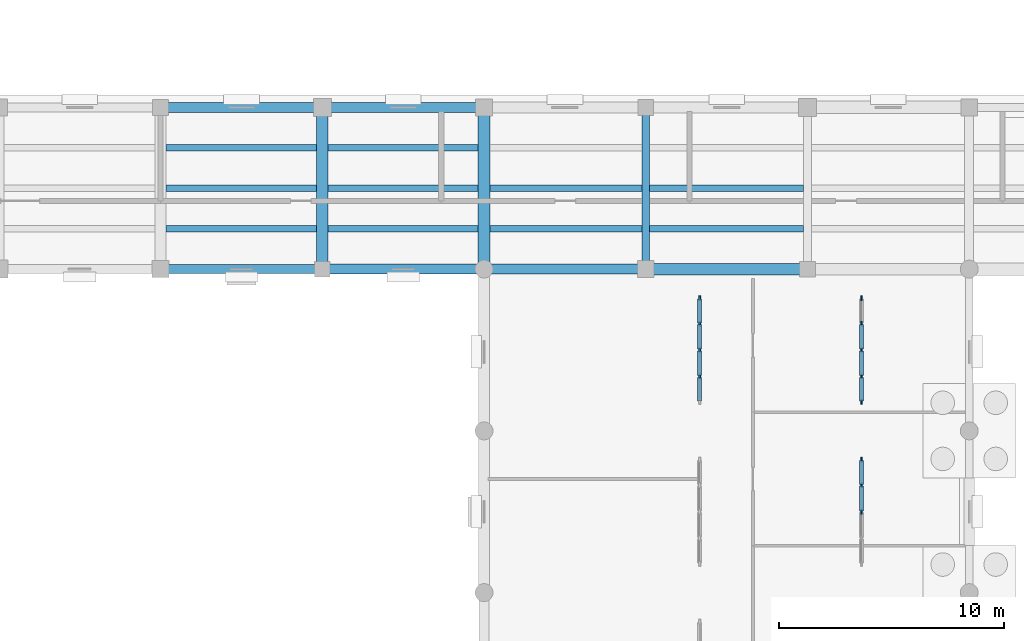
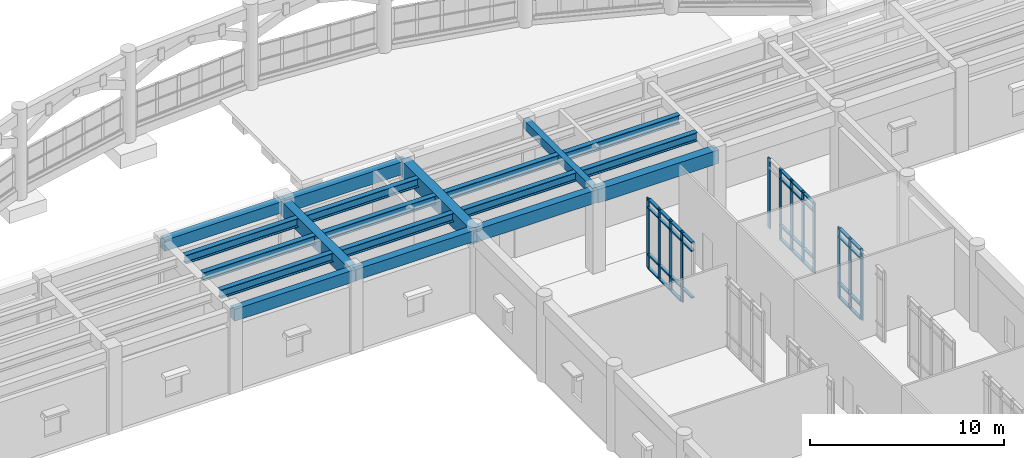
# One storey, part 29 of 100: 47 members, 19 beams, 3 elements without a shape of their own.
"""IFC4 building model written with IfcOpenShell, lengths in metres."""

from ifc_helpers import new_model, si_unit, direction, frame, origin, origin_2d, place, context, subcontext, project, spatial, rectangle, i_section, extrude, material, material_profile, profile_set, type_object, element, aggregate, save


model = new_model("IFC4")

# Units and contexts
model_context = context("Model", 3, precision=1e-05, world=origin(), true_north=direction((0.0, 1.0)))
body_context = subcontext(model_context, "Body", "Model", "MODEL_VIEW")
ifc_project = project(units=[si_unit("LENGTHUNIT", "METRE"), si_unit("AREAUNIT", "SQUARE_METRE"), si_unit("VOLUMEUNIT", "CUBIC_METRE"), si_unit("PLANEANGLEUNIT", "RADIAN"), si_unit("MASSUNIT", "GRAM", prefix="KILO")], contexts=[model_context])

# Site, building, storey
site_placement = place(None, origin())
site = spatial("IfcSite", under=ifc_project, at=site_placement, CompositionType="ELEMENT")
building_placement = place(site_placement, origin())
building = spatial("IfcBuilding", under=site, at=building_placement, Name="Mithqara Police Headquarters", CompositionType="ELEMENT")
storey_placement = place(building_placement, origin())
storey = spatial("IfcBuildingStorey", under=building, at=storey_placement, Name="L00", CompositionType="ELEMENT", Elevation=0.0)

# Beams
ifc_material_1 = material(Name="Steel S355JR", Category="steel")
ifc_material_profile_1 = material_profile(ifc_material_1, i_section(OverallWidth=0.300048828125, OverallDepth=0.550048828125, WebThickness=0.014892578125, FlangeThickness=0.029052734375, FilletRadius=0.027099609375, at=origin_2d()), Name="HEB 550")
ifc_profile_set_1 = profile_set([ifc_material_profile_1], Name="Steel S355JR")
beam_type_1 = type_object("IfcBeamType", Name="BEAM HEB550", PredefinedType="BEAM", material=ifc_profile_set_1)
for number, where, z_axis, x_axis, name in (
    (1, (58.449951171875, 80.39990234375, 4.844970703125), (1.0, 0.0, 0.0), (0.0, 1.0, 0.0), "L00 Composite Steel Joist 9-10/M.1"),
    (2, (58.449951171875, 82.199951171875, 4.844970703125), (1.0, 0.0, 0.0), (0.0, 1.0, 0.0), "L00 Composite Steel Joist 9-10/M.2"),
    (3, (58.449951171875, 84.0, 4.844970703125), (1.0, 0.0, 0.0), (0.0, 1.0, 0.0), "L00 Composite Steel Joist 9-10/M.3"),
):
    element("IfcBeam", number, at=place(storey_placement, frame(where, z_axis=z_axis, x_axis=x_axis)), inside=storey, type_object=beam_type_1, Name=name, PredefinedType="BEAM", context=body_context, shape_type="SweptSolid", body=[
        extrude(i_section(OverallWidth=0.300048828125, OverallDepth=0.550048828125, WebThickness=0.014892578125, FlangeThickness=0.029052734375, FilletRadius=0.027099609375, at=origin_2d()), origin(), (0.0, 0.0, 1.0), 6.699951171875),
    ])
for number, where, z_axis, x_axis, name in (
    (4, (65.64990234375, 80.39990234375, 4.844970703125), (1.0, 0.0, 0.0), (0.0, 1.0, 0.0), "L00 Composite Steel Joist 10-11/M.1"),
    (5, (65.64990234375, 82.199951171875, 4.844970703125), (1.0, 0.0, 0.0), (0.0, 1.0, 0.0), "L00 Composite Steel Joist 10-11/M.2"),
    (6, (65.64990234375, 84.0, 4.844970703125), (1.0, 0.0, 0.0), (0.0, 1.0, 0.0), "L00 Composite Steel Joist 10-11/M.3"),
):
    element("IfcBeam", number, at=place(storey_placement, frame(where, z_axis=z_axis, x_axis=x_axis)), inside=storey, type_object=beam_type_1, Name=name, PredefinedType="BEAM", context=body_context, shape_type="SweptSolid", body=[
        extrude(i_section(OverallWidth=0.300048828125, OverallDepth=0.550048828125, WebThickness=0.014892578125, FlangeThickness=0.029052734375, FilletRadius=0.027099609375, at=origin_2d()), origin(), (0.0, 0.0, 1.0), 6.675048828125),
    ])
for number, where, z_axis, x_axis, name in (
    (7, (72.875, 80.39990234375, 4.844970703125), (1.0, 0.0, 0.0), (0.0, 1.0, 0.0), "L00 Composite Steel Joist 11-12/M.1"),
    (8, (72.875, 82.199951171875, 4.844970703125), (1.0, 0.0, 0.0), (0.0, 1.0, 0.0), "L00 Composite Steel Joist 11-12/M.2"),
):
    element("IfcBeam", number, at=place(storey_placement, frame(where, z_axis=z_axis, x_axis=x_axis)), inside=storey, type_object=beam_type_1, Name=name, PredefinedType="BEAM", context=body_context, shape_type="SweptSolid", body=[
        extrude(i_section(OverallWidth=0.300048828125, OverallDepth=0.550048828125, WebThickness=0.014892578125, FlangeThickness=0.029052734375, FilletRadius=0.027099609375, at=origin_2d()), origin(), (0.0, 0.0, 1.0), 6.75),
    ])
for number, where, z_axis, x_axis, name in (
    (9, (79.97509765625, 80.39990234375, 4.844970703125), (1.0, 0.0, 0.0), (0.0, 1.0, 0.0), "L00 Composite Steel Joist 12-13/M.1"),
    (10, (79.97509765625, 82.199951171875, 4.844970703125), (1.0, 0.0, 0.0), (0.0, 1.0, 0.0), "L00 Composite Steel Joist 12-13/M.2"),
):
    element("IfcBeam", number, at=place(storey_placement, frame(where, z_axis=z_axis, x_axis=x_axis)), inside=storey, type_object=beam_type_1, Name=name, PredefinedType="BEAM", context=body_context, shape_type="SweptSolid", body=[
        extrude(i_section(OverallWidth=0.300048828125, OverallDepth=0.550048828125, WebThickness=0.014892578125, FlangeThickness=0.029052734375, FilletRadius=0.027099609375, at=origin_2d()), origin(), (0.0, 0.0, 1.0), 6.849853515625),
    ])
ifc_material_2 = material(Name="Concrete C40/50", Category="concrete")
ifc_material_profile_2 = material_profile(ifc_material_2, rectangle(XDim=0.35009765625, YDim=0.550048828125, at=origin_2d()), Name="RC 350x550")
ifc_profile_set_2 = profile_set([ifc_material_profile_2], Name="Concrete C40/50")
beam_type_2 = type_object("IfcBeamType", Name="BEAM RC350X550", PredefinedType="BEAM", material=ifc_profile_set_2)
beam_1_placement = place(storey_placement, frame((79.800048828125, 78.60009765625, 4.844970703125), z_axis=(0.0, 1.0, 0.0), x_axis=(-1.0, 0.0, 0.0)))
element("IfcBeam", 11, at=beam_1_placement, inside=storey, type_object=beam_type_2, Name="L00 Girder 12/M-N", PredefinedType="BEAM", context=body_context, shape_type="SweptSolid", body=[
    extrude(rectangle(XDim=0.35009765625, YDim=0.550048828125, at=origin_2d()), origin(), (0.0, 0.0, 1.0), 7.199951171875),
])
ifc_material_profile_3 = material_profile(ifc_material_2, rectangle(XDim=0.39990234375, YDim=0.75, at=origin_2d()), Name="RC 400x750")
ifc_profile_set_3 = profile_set([ifc_material_profile_3], Name="Concrete C40/50")
beam_type_3 = type_object("IfcBeamType", Name="BEAM RC400X750", PredefinedType="BEAM", material=ifc_profile_set_3)
beam_2_placement = place(storey_placement, frame((58.199951171875, 78.60009765625, 4.7451171875), z_axis=(1.0, 0.0, 0.0), x_axis=(0.0, 1.0, 0.0)))
element("IfcBeam", 12, at=beam_2_placement, inside=storey, type_object=beam_type_3, Name="L00 Girder 9-10/M", PredefinedType="BEAM", context=body_context, shape_type="SweptSolid", body=[
    extrude(rectangle(XDim=0.39990234375, YDim=0.75, at=origin_2d()), origin(), (0.0, 0.0, 1.0), 7.199951171875),
])
ifc_material_profile_4 = material_profile(ifc_material_2, rectangle(XDim=0.449951171875, YDim=0.699951171875, at=origin_2d()), Name="RC 450x700")
ifc_profile_set_4 = profile_set([ifc_material_profile_4], Name="Concrete C40/50")
beam_type_4 = type_object("IfcBeamType", Name="BEAM RC450X700", PredefinedType="BEAM", material=ifc_profile_set_4)
beam_3_placement = place(storey_placement, frame((58.199951171875, 85.800048828125, 4.77001953125), z_axis=(1.0, 0.0, 0.0), x_axis=(0.0, 1.0, 0.0)))
element("IfcBeam", 13, at=beam_3_placement, inside=storey, type_object=beam_type_4, Name="L00 Girder 9-10/N", PredefinedType="BEAM", context=body_context, shape_type="SweptSolid", body=[
    extrude(rectangle(XDim=0.449951171875, YDim=0.699951171875, at=origin_2d()), origin(), (0.0, 0.0, 1.0), 7.199951171875),
])
beam_4_placement = place(storey_placement, frame((65.39990234375, 78.60009765625, 4.77001953125), z_axis=(1.0, 0.0, 0.0), x_axis=(0.0, 1.0, 0.0)))
element("IfcBeam", 14, at=beam_4_placement, inside=storey, type_object=beam_type_4, Name="L00 Girder 10-11/M", PredefinedType="BEAM", context=body_context, shape_type="SweptSolid", body=[
    extrude(rectangle(XDim=0.449951171875, YDim=0.699951171875, at=origin_2d()), origin(), (0.0, 0.0, 1.0), 7.2001953125),
])
ifc_material_profile_5 = material_profile(ifc_material_2, rectangle(XDim=0.449951171875, YDim=0.800048828125, at=origin_2d()), Name="RC 450x800")
ifc_profile_set_5 = profile_set([ifc_material_profile_5], Name="Concrete C40/50")
beam_type_5 = type_object("IfcBeamType", Name="BEAM RC450X800", PredefinedType="BEAM", material=ifc_profile_set_5)
beam_5_placement = place(storey_placement, frame((65.39990234375, 85.800048828125, 4.719970703125), z_axis=(1.0, 0.0, 0.0), x_axis=(0.0, 1.0, 0.0)))
element("IfcBeam", 15, at=beam_5_placement, inside=storey, type_object=beam_type_5, Name="L00 Girder 10-11/N", PredefinedType="BEAM", context=body_context, shape_type="SweptSolid", body=[
    extrude(rectangle(XDim=0.449951171875, YDim=0.800048828125, at=origin_2d()), origin(), (0.0, 0.0, 1.0), 7.2001953125),
])
beam_6_placement = place(storey_placement, frame((72.60009765625, 78.60009765625, 4.719970703125), z_axis=(1.0, 0.0, 0.0), x_axis=(0.0, 1.0, 0.0)))
element("IfcBeam", 16, at=beam_6_placement, inside=storey, type_object=beam_type_5, Name="L00 Girder 11-12/M", PredefinedType="BEAM", context=body_context, shape_type="SweptSolid", body=[
    extrude(rectangle(XDim=0.449951171875, YDim=0.800048828125, at=origin_2d()), origin(), (0.0, 0.0, 1.0), 7.199951171875),
])
ifc_material_profile_6 = material_profile(ifc_material_2, rectangle(XDim=0.5, YDim=0.85009765625, at=origin_2d()), Name="RC 500x850")
ifc_profile_set_6 = profile_set([ifc_material_profile_6], Name="Concrete C40/50")
beam_type_6 = type_object("IfcBeamType", Name="BEAM RC500X850", PredefinedType="BEAM", material=ifc_profile_set_6)
beam_7_placement = place(storey_placement, frame((79.800048828125, 78.60009765625, 4.695068359375), z_axis=(1.0, 0.0, 0.0), x_axis=(0.0, 1.0, 0.0)))
element("IfcBeam", 17, at=beam_7_placement, inside=storey, type_object=beam_type_6, Name="L00 Girder 12-13/M", PredefinedType="BEAM", context=body_context, shape_type="SweptSolid", body=[
    extrude(rectangle(XDim=0.5, YDim=0.85009765625, at=origin_2d()), origin(), (0.0, 0.0, 1.0), 7.199951171875),
])
ifc_material_3 = material(Name="Concrete C50/60", Category="concrete")
ifc_material_profile_7 = material_profile(ifc_material_3, rectangle(XDim=0.5, YDim=0.89990234375, at=origin_2d()), Name="RC 500x900")
ifc_profile_set_7 = profile_set([ifc_material_profile_7], Name="Concrete C50/60")
beam_type_7 = type_object("IfcBeamType", Name="BEAM RC500X900", PredefinedType="BEAM", material=ifc_profile_set_7)
beam_8_placement = place(storey_placement, frame((65.39990234375, 78.60009765625, 4.669921875), z_axis=(0.0, 1.0, 0.0), x_axis=(-1.0, 0.0, 0.0)))
element("IfcBeam", 18, at=beam_8_placement, inside=storey, type_object=beam_type_7, Name="L00 Girder 10/M-N", PredefinedType="BEAM", context=body_context, shape_type="SweptSolid", body=[
    extrude(rectangle(XDim=0.5, YDim=0.89990234375, at=origin_2d()), origin(), (0.0, 0.0, 1.0), 7.199951171875),
])
ifc_material_profile_8 = material_profile(ifc_material_3, rectangle(XDim=0.550048828125, YDim=1.0, at=origin_2d()), Name="RC 550x1000")
ifc_profile_set_8 = profile_set([ifc_material_profile_8], Name="Concrete C50/60")
beam_type_8 = type_object("IfcBeamType", Name="BEAM RC550X1000", PredefinedType="BEAM", material=ifc_profile_set_8)
beam_9_placement = place(storey_placement, frame((72.60009765625, 78.60009765625, 4.6201171875), z_axis=(0.0, 1.0, 0.0), x_axis=(-1.0, 0.0, 0.0)))
element("IfcBeam", 19, at=beam_9_placement, inside=storey, type_object=beam_type_8, Name="L00 Girder 11/M-N", PredefinedType="BEAM", context=body_context, shape_type="SweptSolid", body=[
    extrude(rectangle(XDim=0.550048828125, YDim=1.0, at=origin_2d()), origin(), (0.0, 0.0, 1.0), 7.199951171875),
])

# Curtain wall, members
ifc_material_4 = material(Name="Bronze anodised aluminium 6063-T6", Category="aluminium")
curtain_wall_type = type_object("IfcCurtainWallType", Name="CURTAIN WALL 4700X4400", PredefinedType="USERDEFINED", material=ifc_material_4)
curtain_wall_1_placement = place(storey_placement, origin())
curtain_wall_1 = element("IfcCurtainWall", 20, at=curtain_wall_1_placement, inside=storey, type_object=curtain_wall_type, Name="L00 Unitised Glazing CW-14 (CW-INT-L00-X11-Y10-0)", ObjectType="UNITISED GLAZING", PredefinedType="USERDEFINED")
ifc_material_profile_9 = material_profile(ifc_material_4, rectangle(XDim=0.074951171875, YDim=0.219970703125, at=origin_2d()), Name="CWM 75x220")
ifc_profile_set_9 = profile_set([ifc_material_profile_9], Name="Bronze anodised aluminium 6063-T6")
member_type_1 = type_object("IfcMemberType", Name="CWMULLION 75X220", PredefinedType="MULLION", material=ifc_profile_set_9)
member_1_placement = place(storey_placement, frame((82.199951171875, 73.824951171875, 0.0), z_axis=(0.0, 0.0, 1.0), x_axis=(-1.0, 0.0, 0.0)))
member_1 = element("IfcMember", 21, at=member_1_placement, type_object=member_type_1, Name="CW-14 mullion 2", PredefinedType="MULLION", context=body_context, shape_type="SweptSolid", body=[
    extrude(rectangle(XDim=0.074951171875, YDim=0.219970703125, at=origin_2d()), origin(), (0.0, 0.0, 1.0), 4.39990234375),
])
member_2_placement = place(storey_placement, frame((82.199951171875, 75.0, 0.0), z_axis=(0.0, 0.0, 1.0), x_axis=(-1.0, 0.0, 0.0)))
member_2 = element("IfcMember", 22, at=member_2_placement, type_object=member_type_1, Name="CW-14 mullion 3", PredefinedType="MULLION", context=body_context, shape_type="SweptSolid", body=[
    extrude(rectangle(XDim=0.074951171875, YDim=0.219970703125, at=origin_2d()), origin(), (0.0, 0.0, 1.0), 4.39990234375),
])
member_3_placement = place(storey_placement, frame((82.199951171875, 76.175048828125, 0.0), z_axis=(0.0, 0.0, 1.0), x_axis=(-1.0, 0.0, 0.0)))
member_3 = element("IfcMember", 23, at=member_3_placement, type_object=member_type_1, Name="CW-14 mullion 4", PredefinedType="MULLION", context=body_context, shape_type="SweptSolid", body=[
    extrude(rectangle(XDim=0.074951171875, YDim=0.219970703125, at=origin_2d()), origin(), (0.0, 0.0, 1.0), 4.39990234375),
])
member_4_placement = place(storey_placement, frame((82.199951171875, 77.3125, 0.0), z_axis=(0.0, 0.0, 1.0), x_axis=(-1.0, 0.0, 0.0)))
member_4 = element("IfcMember", 24, at=member_4_placement, type_object=member_type_1, Name="CW-14 mullion 5", PredefinedType="MULLION", context=body_context, shape_type="SweptSolid", body=[
    extrude(rectangle(XDim=0.074951171875, YDim=0.219970703125, at=origin_2d()), origin(), (0.0, 0.0, 1.0), 4.39990234375),
])

curtain_wall_2_placement = place(storey_placement, origin())
curtain_wall_2 = element("IfcCurtainWall", 25, at=curtain_wall_2_placement, inside=storey, type_object=curtain_wall_type, Name="L00 Unitised Glazing CW-14 (CW-INT-L00-X12-Y09-0)", ObjectType="UNITISED GLAZING", PredefinedType="USERDEFINED")
member_5_placement = place(storey_placement, frame((89.39990234375, 67.800048828125, 0.0), z_axis=(0.0, 0.0, 1.0), x_axis=(-1.0, 0.0, 0.0)))
member_5 = element("IfcMember", 26, at=member_5_placement, type_object=member_type_1, Name="CW-14 mullion 3", PredefinedType="MULLION", context=body_context, shape_type="SweptSolid", body=[
    extrude(rectangle(XDim=0.074951171875, YDim=0.219970703125, at=origin_2d()), origin(), (0.0, 0.0, 1.0), 4.39990234375),
])
member_6_placement = place(storey_placement, frame((89.39990234375, 68.97509765625, 0.0), z_axis=(0.0, 0.0, 1.0), x_axis=(-1.0, 0.0, 0.0)))
member_6 = element("IfcMember", 27, at=member_6_placement, type_object=member_type_1, Name="CW-14 mullion 4", PredefinedType="MULLION", context=body_context, shape_type="SweptSolid", body=[
    extrude(rectangle(XDim=0.074951171875, YDim=0.219970703125, at=origin_2d()), origin(), (0.0, 0.0, 1.0), 4.39990234375),
])
member_7_placement = place(storey_placement, frame((89.39990234375, 70.112548828125, 0.0), z_axis=(0.0, 0.0, 1.0), x_axis=(-1.0, 0.0, 0.0)))
member_7 = element("IfcMember", 28, at=member_7_placement, type_object=member_type_1, Name="CW-14 mullion 5", PredefinedType="MULLION", context=body_context, shape_type="SweptSolid", body=[
    extrude(rectangle(XDim=0.074951171875, YDim=0.219970703125, at=origin_2d()), origin(), (0.0, 0.0, 1.0), 4.39990234375),
])

curtain_wall_3_placement = place(storey_placement, origin())
curtain_wall_3 = element("IfcCurtainWall", 29, at=curtain_wall_3_placement, inside=storey, type_object=curtain_wall_type, Name="L00 Unitised Glazing CW-14 (CW-INT-L00-X12-Y10-0)", ObjectType="UNITISED GLAZING", PredefinedType="USERDEFINED")
member_8_placement = place(storey_placement, frame((89.39990234375, 72.6875, 0.0), z_axis=(0.0, 0.0, 1.0), x_axis=(-1.0, 0.0, 0.0)))
member_8 = element("IfcMember", 30, at=member_8_placement, type_object=member_type_1, Name="CW-14 mullion 1", PredefinedType="MULLION", context=body_context, shape_type="SweptSolid", body=[
    extrude(rectangle(XDim=0.074951171875, YDim=0.219970703125, at=origin_2d()), origin(), (0.0, 0.0, 1.0), 4.39990234375),
])
member_9_placement = place(storey_placement, frame((89.39990234375, 73.824951171875, 0.0), z_axis=(0.0, 0.0, 1.0), x_axis=(-1.0, 0.0, 0.0)))
member_9 = element("IfcMember", 31, at=member_9_placement, type_object=member_type_1, Name="CW-14 mullion 2", PredefinedType="MULLION", context=body_context, shape_type="SweptSolid", body=[
    extrude(rectangle(XDim=0.074951171875, YDim=0.219970703125, at=origin_2d()), origin(), (0.0, 0.0, 1.0), 4.39990234375),
])
member_10_placement = place(storey_placement, frame((89.39990234375, 75.0, 0.0), z_axis=(0.0, 0.0, 1.0), x_axis=(-1.0, 0.0, 0.0)))
member_10 = element("IfcMember", 32, at=member_10_placement, type_object=member_type_1, Name="CW-14 mullion 3", PredefinedType="MULLION", context=body_context, shape_type="SweptSolid", body=[
    extrude(rectangle(XDim=0.074951171875, YDim=0.219970703125, at=origin_2d()), origin(), (0.0, 0.0, 1.0), 4.39990234375),
])
member_11_placement = place(storey_placement, frame((89.39990234375, 76.175048828125, 0.0), z_axis=(0.0, 0.0, 1.0), x_axis=(-1.0, 0.0, 0.0)))
member_11 = element("IfcMember", 33, at=member_11_placement, type_object=member_type_1, Name="CW-14 mullion 4", PredefinedType="MULLION", context=body_context, shape_type="SweptSolid", body=[
    extrude(rectangle(XDim=0.074951171875, YDim=0.219970703125, at=origin_2d()), origin(), (0.0, 0.0, 1.0), 4.39990234375),
])
member_12_placement = place(storey_placement, frame((89.39990234375, 77.3125, 0.0), z_axis=(0.0, 0.0, 1.0), x_axis=(-1.0, 0.0, 0.0)))
member_12 = element("IfcMember", 34, at=member_12_placement, type_object=member_type_1, Name="CW-14 mullion 5", PredefinedType="MULLION", context=body_context, shape_type="SweptSolid", body=[
    extrude(rectangle(XDim=0.074951171875, YDim=0.219970703125, at=origin_2d()), origin(), (0.0, 0.0, 1.0), 4.39990234375),
])

# Member
ifc_material_profile_10 = material_profile(ifc_material_4, rectangle(XDim=0.179931640625, YDim=0.074951171875, at=origin_2d()), Name="CWT 180x75")
ifc_profile_set_10 = profile_set([ifc_material_profile_10], Name="Bronze anodised aluminium 6063-T6")
member_type_2 = type_object("IfcMemberType", Name="CWTRANSOM 180X75", PredefinedType="USERDEFINED", material=ifc_profile_set_10)
member_13_placement = place(storey_placement, frame((82.199951171875, 72.72509765625, 0.89990234375), z_axis=(0.0, 1.0, 0.0), x_axis=(-1.0, 0.0, 0.0)))
member_13 = element("IfcMember", 35, at=member_13_placement, type_object=member_type_2, Name="CW-14 transom 1.2", ObjectType="TRANSOM", PredefinedType="USERDEFINED", context=body_context, shape_type="SweptSolid", body=[
    extrude(rectangle(XDim=0.179931640625, YDim=0.074951171875, at=origin_2d()), origin(), (0.0, 0.0, 1.0), 1.0625),
])

member_14_placement = place(storey_placement, frame((82.199951171875, 72.72509765625, 3.85009765625), z_axis=(0.0, 1.0, 0.0), x_axis=(-1.0, 0.0, 0.0)))
member_14 = element("IfcMember", 36, at=member_14_placement, type_object=member_type_2, Name="CW-14 transom 1.3", ObjectType="TRANSOM", PredefinedType="USERDEFINED", context=body_context, shape_type="SweptSolid", body=[
    extrude(rectangle(XDim=0.179931640625, YDim=0.074951171875, at=origin_2d()), origin(), (0.0, 0.0, 1.0), 1.0625),
])

member_15_placement = place(storey_placement, frame((82.199951171875, 72.72509765625, 4.362548828125), z_axis=(0.0, 1.0, 0.0), x_axis=(-1.0, 0.0, 0.0)))
member_15 = element("IfcMember", 37, at=member_15_placement, type_object=member_type_2, Name="CW-14 transom 1.4", ObjectType="TRANSOM", PredefinedType="USERDEFINED", context=body_context, shape_type="SweptSolid", body=[
    extrude(rectangle(XDim=0.179931640625, YDim=0.074951171875, at=origin_2d()), origin(), (0.0, 0.0, 1.0), 1.0625),
])

member_16_placement = place(storey_placement, frame((82.199951171875, 73.862548828125, 0.03759765625), z_axis=(0.0, 1.0, 0.0), x_axis=(-1.0, 0.0, 0.0)))
member_16 = element("IfcMember", 38, at=member_16_placement, type_object=member_type_2, Name="CW-14 transom 2.1", ObjectType="TRANSOM", PredefinedType="USERDEFINED", context=body_context, shape_type="SweptSolid", body=[
    extrude(rectangle(XDim=0.179931640625, YDim=0.074951171875, at=origin_2d()), origin(), (0.0, 0.0, 1.0), 1.099853515625),
])

member_17_placement = place(storey_placement, frame((82.199951171875, 73.862548828125, 0.89990234375), z_axis=(0.0, 1.0, 0.0), x_axis=(-1.0, 0.0, 0.0)))
member_17 = element("IfcMember", 39, at=member_17_placement, type_object=member_type_2, Name="CW-14 transom 2.2", ObjectType="TRANSOM", PredefinedType="USERDEFINED", context=body_context, shape_type="SweptSolid", body=[
    extrude(rectangle(XDim=0.179931640625, YDim=0.074951171875, at=origin_2d()), origin(), (0.0, 0.0, 1.0), 1.099853515625),
])

member_18_placement = place(storey_placement, frame((82.199951171875, 73.862548828125, 3.85009765625), z_axis=(0.0, 1.0, 0.0), x_axis=(-1.0, 0.0, 0.0)))
member_18 = element("IfcMember", 40, at=member_18_placement, type_object=member_type_2, Name="CW-14 transom 2.3", ObjectType="TRANSOM", PredefinedType="USERDEFINED", context=body_context, shape_type="SweptSolid", body=[
    extrude(rectangle(XDim=0.179931640625, YDim=0.074951171875, at=origin_2d()), origin(), (0.0, 0.0, 1.0), 1.099853515625),
])

member_19_placement = place(storey_placement, frame((82.199951171875, 73.862548828125, 4.362548828125), z_axis=(0.0, 1.0, 0.0), x_axis=(-1.0, 0.0, 0.0)))
member_19 = element("IfcMember", 41, at=member_19_placement, type_object=member_type_2, Name="CW-14 transom 2.4", ObjectType="TRANSOM", PredefinedType="USERDEFINED", context=body_context, shape_type="SweptSolid", body=[
    extrude(rectangle(XDim=0.179931640625, YDim=0.074951171875, at=origin_2d()), origin(), (0.0, 0.0, 1.0), 1.099853515625),
])

member_20_placement = place(storey_placement, frame((82.199951171875, 75.03759765625, 0.03759765625), z_axis=(0.0, 1.0, 0.0), x_axis=(-1.0, 0.0, 0.0)))
member_20 = element("IfcMember", 42, at=member_20_placement, type_object=member_type_2, Name="CW-14 transom 3.1", ObjectType="TRANSOM", PredefinedType="USERDEFINED", context=body_context, shape_type="SweptSolid", body=[
    extrude(rectangle(XDim=0.179931640625, YDim=0.074951171875, at=origin_2d()), origin(), (0.0, 0.0, 1.0), 1.099853515625),
])

member_21_placement = place(storey_placement, frame((82.199951171875, 75.03759765625, 0.89990234375), z_axis=(0.0, 1.0, 0.0), x_axis=(-1.0, 0.0, 0.0)))
member_21 = element("IfcMember", 43, at=member_21_placement, type_object=member_type_2, Name="CW-14 transom 3.2", ObjectType="TRANSOM", PredefinedType="USERDEFINED", context=body_context, shape_type="SweptSolid", body=[
    extrude(rectangle(XDim=0.179931640625, YDim=0.074951171875, at=origin_2d()), origin(), (0.0, 0.0, 1.0), 1.099853515625),
])

member_22_placement = place(storey_placement, frame((82.199951171875, 75.03759765625, 3.85009765625), z_axis=(0.0, 1.0, 0.0), x_axis=(-1.0, 0.0, 0.0)))
member_22 = element("IfcMember", 44, at=member_22_placement, type_object=member_type_2, Name="CW-14 transom 3.3", ObjectType="TRANSOM", PredefinedType="USERDEFINED", context=body_context, shape_type="SweptSolid", body=[
    extrude(rectangle(XDim=0.179931640625, YDim=0.074951171875, at=origin_2d()), origin(), (0.0, 0.0, 1.0), 1.099853515625),
])

member_23_placement = place(storey_placement, frame((82.199951171875, 75.03759765625, 4.362548828125), z_axis=(0.0, 1.0, 0.0), x_axis=(-1.0, 0.0, 0.0)))
member_23 = element("IfcMember", 45, at=member_23_placement, type_object=member_type_2, Name="CW-14 transom 3.4", ObjectType="TRANSOM", PredefinedType="USERDEFINED", context=body_context, shape_type="SweptSolid", body=[
    extrude(rectangle(XDim=0.179931640625, YDim=0.074951171875, at=origin_2d()), origin(), (0.0, 0.0, 1.0), 1.099853515625),
])

member_24_placement = place(storey_placement, frame((82.199951171875, 76.21240234375, 0.03759765625), z_axis=(0.0, 1.0, 0.0), x_axis=(-1.0, 0.0, 0.0)))
member_24 = element("IfcMember", 46, at=member_24_placement, type_object=member_type_2, Name="CW-14 transom 4.1", ObjectType="TRANSOM", PredefinedType="USERDEFINED", context=body_context, shape_type="SweptSolid", body=[
    extrude(rectangle(XDim=0.179931640625, YDim=0.074951171875, at=origin_2d()), origin(), (0.0, 0.0, 1.0), 1.0625),
])

member_25_placement = place(storey_placement, frame((82.199951171875, 76.21240234375, 0.89990234375), z_axis=(0.0, 1.0, 0.0), x_axis=(-1.0, 0.0, 0.0)))
member_25 = element("IfcMember", 47, at=member_25_placement, type_object=member_type_2, Name="CW-14 transom 4.2", ObjectType="TRANSOM", PredefinedType="USERDEFINED", context=body_context, shape_type="SweptSolid", body=[
    extrude(rectangle(XDim=0.179931640625, YDim=0.074951171875, at=origin_2d()), origin(), (0.0, 0.0, 1.0), 1.0625),
])

member_26_placement = place(storey_placement, frame((82.199951171875, 76.21240234375, 3.85009765625), z_axis=(0.0, 1.0, 0.0), x_axis=(-1.0, 0.0, 0.0)))
member_26 = element("IfcMember", 48, at=member_26_placement, type_object=member_type_2, Name="CW-14 transom 4.3", ObjectType="TRANSOM", PredefinedType="USERDEFINED", context=body_context, shape_type="SweptSolid", body=[
    extrude(rectangle(XDim=0.179931640625, YDim=0.074951171875, at=origin_2d()), origin(), (0.0, 0.0, 1.0), 1.0625),
])

member_27_placement = place(storey_placement, frame((82.199951171875, 76.21240234375, 4.362548828125), z_axis=(0.0, 1.0, 0.0), x_axis=(-1.0, 0.0, 0.0)))
member_27 = element("IfcMember", 49, at=member_27_placement, type_object=member_type_2, Name="CW-14 transom 4.4", ObjectType="TRANSOM", PredefinedType="USERDEFINED", context=body_context, shape_type="SweptSolid", body=[
    extrude(rectangle(XDim=0.179931640625, YDim=0.074951171875, at=origin_2d()), origin(), (0.0, 0.0, 1.0), 1.0625),
])

aggregate(curtain_wall_1, [member_1, member_2, member_3, member_4, member_13, member_14, member_15, member_16, member_17, member_18, member_19, member_20, member_21, member_22, member_23, member_24, member_25, member_26, member_27])

member_28_placement = place(storey_placement, frame((89.39990234375, 67.83740234375, 0.03759765625), z_axis=(0.0, 1.0, 0.0), x_axis=(-1.0, 0.0, 0.0)))
member_28 = element("IfcMember", 50, at=member_28_placement, type_object=member_type_2, Name="CW-14 transom 3.1", ObjectType="TRANSOM", PredefinedType="USERDEFINED", context=body_context, shape_type="SweptSolid", body=[
    extrude(rectangle(XDim=0.179931640625, YDim=0.074951171875, at=origin_2d()), origin(), (0.0, 0.0, 1.0), 1.10009765625),
])

member_29_placement = place(storey_placement, frame((89.39990234375, 67.83740234375, 0.89990234375), z_axis=(0.0, 1.0, 0.0), x_axis=(-1.0, 0.0, 0.0)))
member_29 = element("IfcMember", 51, at=member_29_placement, type_object=member_type_2, Name="CW-14 transom 3.2", ObjectType="TRANSOM", PredefinedType="USERDEFINED", context=body_context, shape_type="SweptSolid", body=[
    extrude(rectangle(XDim=0.179931640625, YDim=0.074951171875, at=origin_2d()), origin(), (0.0, 0.0, 1.0), 1.10009765625),
])

member_30_placement = place(storey_placement, frame((89.39990234375, 67.83740234375, 3.85009765625), z_axis=(0.0, 1.0, 0.0), x_axis=(-1.0, 0.0, 0.0)))
member_30 = element("IfcMember", 52, at=member_30_placement, type_object=member_type_2, Name="CW-14 transom 3.3", ObjectType="TRANSOM", PredefinedType="USERDEFINED", context=body_context, shape_type="SweptSolid", body=[
    extrude(rectangle(XDim=0.179931640625, YDim=0.074951171875, at=origin_2d()), origin(), (0.0, 0.0, 1.0), 1.10009765625),
])

member_31_placement = place(storey_placement, frame((89.39990234375, 67.83740234375, 4.362548828125), z_axis=(0.0, 1.0, 0.0), x_axis=(-1.0, 0.0, 0.0)))
member_31 = element("IfcMember", 53, at=member_31_placement, type_object=member_type_2, Name="CW-14 transom 3.4", ObjectType="TRANSOM", PredefinedType="USERDEFINED", context=body_context, shape_type="SweptSolid", body=[
    extrude(rectangle(XDim=0.179931640625, YDim=0.074951171875, at=origin_2d()), origin(), (0.0, 0.0, 1.0), 1.10009765625),
])

member_32_placement = place(storey_placement, frame((89.39990234375, 69.012451171875, 0.03759765625), z_axis=(0.0, 1.0, 0.0), x_axis=(-1.0, 0.0, 0.0)))
member_32 = element("IfcMember", 54, at=member_32_placement, type_object=member_type_2, Name="CW-14 transom 4.1", ObjectType="TRANSOM", PredefinedType="USERDEFINED", context=body_context, shape_type="SweptSolid", body=[
    extrude(rectangle(XDim=0.179931640625, YDim=0.074951171875, at=origin_2d()), origin(), (0.0, 0.0, 1.0), 1.0625),
])

member_33_placement = place(storey_placement, frame((89.39990234375, 69.012451171875, 0.89990234375), z_axis=(0.0, 1.0, 0.0), x_axis=(-1.0, 0.0, 0.0)))
member_33 = element("IfcMember", 55, at=member_33_placement, type_object=member_type_2, Name="CW-14 transom 4.2", ObjectType="TRANSOM", PredefinedType="USERDEFINED", context=body_context, shape_type="SweptSolid", body=[
    extrude(rectangle(XDim=0.179931640625, YDim=0.074951171875, at=origin_2d()), origin(), (0.0, 0.0, 1.0), 1.0625),
])

member_34_placement = place(storey_placement, frame((89.39990234375, 69.012451171875, 3.85009765625), z_axis=(0.0, 1.0, 0.0), x_axis=(-1.0, 0.0, 0.0)))
member_34 = element("IfcMember", 56, at=member_34_placement, type_object=member_type_2, Name="CW-14 transom 4.3", ObjectType="TRANSOM", PredefinedType="USERDEFINED", context=body_context, shape_type="SweptSolid", body=[
    extrude(rectangle(XDim=0.179931640625, YDim=0.074951171875, at=origin_2d()), origin(), (0.0, 0.0, 1.0), 1.0625),
])

member_35_placement = place(storey_placement, frame((89.39990234375, 69.012451171875, 4.362548828125), z_axis=(0.0, 1.0, 0.0), x_axis=(-1.0, 0.0, 0.0)))
member_35 = element("IfcMember", 57, at=member_35_placement, type_object=member_type_2, Name="CW-14 transom 4.4", ObjectType="TRANSOM", PredefinedType="USERDEFINED", context=body_context, shape_type="SweptSolid", body=[
    extrude(rectangle(XDim=0.179931640625, YDim=0.074951171875, at=origin_2d()), origin(), (0.0, 0.0, 1.0), 1.0625),
])

aggregate(curtain_wall_2, [member_5, member_6, member_7, member_28, member_29, member_30, member_31, member_32, member_33, member_34, member_35])

member_36_placement = place(storey_placement, frame((89.39990234375, 72.72509765625, 0.03759765625), z_axis=(0.0, 1.0, 0.0), x_axis=(-1.0, 0.0, 0.0)))
member_36 = element("IfcMember", 58, at=member_36_placement, type_object=member_type_2, Name="CW-14 transom 1.1", ObjectType="TRANSOM", PredefinedType="USERDEFINED", context=body_context, shape_type="SweptSolid", body=[
    extrude(rectangle(XDim=0.179931640625, YDim=0.074951171875, at=origin_2d()), origin(), (0.0, 0.0, 1.0), 1.0625),
])

member_37_placement = place(storey_placement, frame((89.39990234375, 72.72509765625, 0.89990234375), z_axis=(0.0, 1.0, 0.0), x_axis=(-1.0, 0.0, 0.0)))
member_37 = element("IfcMember", 59, at=member_37_placement, type_object=member_type_2, Name="CW-14 transom 1.2", ObjectType="TRANSOM", PredefinedType="USERDEFINED", context=body_context, shape_type="SweptSolid", body=[
    extrude(rectangle(XDim=0.179931640625, YDim=0.074951171875, at=origin_2d()), origin(), (0.0, 0.0, 1.0), 1.0625),
])

member_38_placement = place(storey_placement, frame((89.39990234375, 72.72509765625, 3.85009765625), z_axis=(0.0, 1.0, 0.0), x_axis=(-1.0, 0.0, 0.0)))
member_38 = element("IfcMember", 60, at=member_38_placement, type_object=member_type_2, Name="CW-14 transom 1.3", ObjectType="TRANSOM", PredefinedType="USERDEFINED", context=body_context, shape_type="SweptSolid", body=[
    extrude(rectangle(XDim=0.179931640625, YDim=0.074951171875, at=origin_2d()), origin(), (0.0, 0.0, 1.0), 1.0625),
])

member_39_placement = place(storey_placement, frame((89.39990234375, 72.72509765625, 4.362548828125), z_axis=(0.0, 1.0, 0.0), x_axis=(-1.0, 0.0, 0.0)))
member_39 = element("IfcMember", 61, at=member_39_placement, type_object=member_type_2, Name="CW-14 transom 1.4", ObjectType="TRANSOM", PredefinedType="USERDEFINED", context=body_context, shape_type="SweptSolid", body=[
    extrude(rectangle(XDim=0.179931640625, YDim=0.074951171875, at=origin_2d()), origin(), (0.0, 0.0, 1.0), 1.0625),
])

member_40_placement = place(storey_placement, frame((89.39990234375, 73.862548828125, 0.03759765625), z_axis=(0.0, 1.0, 0.0), x_axis=(-1.0, 0.0, 0.0)))
member_40 = element("IfcMember", 62, at=member_40_placement, type_object=member_type_2, Name="CW-14 transom 2.1", ObjectType="TRANSOM", PredefinedType="USERDEFINED", context=body_context, shape_type="SweptSolid", body=[
    extrude(rectangle(XDim=0.179931640625, YDim=0.074951171875, at=origin_2d()), origin(), (0.0, 0.0, 1.0), 1.099853515625),
])

member_41_placement = place(storey_placement, frame((89.39990234375, 73.862548828125, 0.89990234375), z_axis=(0.0, 1.0, 0.0), x_axis=(-1.0, 0.0, 0.0)))
member_41 = element("IfcMember", 63, at=member_41_placement, type_object=member_type_2, Name="CW-14 transom 2.2", ObjectType="TRANSOM", PredefinedType="USERDEFINED", context=body_context, shape_type="SweptSolid", body=[
    extrude(rectangle(XDim=0.179931640625, YDim=0.074951171875, at=origin_2d()), origin(), (0.0, 0.0, 1.0), 1.099853515625),
])

member_42_placement = place(storey_placement, frame((89.39990234375, 73.862548828125, 3.85009765625), z_axis=(0.0, 1.0, 0.0), x_axis=(-1.0, 0.0, 0.0)))
member_42 = element("IfcMember", 64, at=member_42_placement, type_object=member_type_2, Name="CW-14 transom 2.3", ObjectType="TRANSOM", PredefinedType="USERDEFINED", context=body_context, shape_type="SweptSolid", body=[
    extrude(rectangle(XDim=0.179931640625, YDim=0.074951171875, at=origin_2d()), origin(), (0.0, 0.0, 1.0), 1.099853515625),
])

member_43_placement = place(storey_placement, frame((89.39990234375, 73.862548828125, 4.362548828125), z_axis=(0.0, 1.0, 0.0), x_axis=(-1.0, 0.0, 0.0)))
member_43 = element("IfcMember", 65, at=member_43_placement, type_object=member_type_2, Name="CW-14 transom 2.4", ObjectType="TRANSOM", PredefinedType="USERDEFINED", context=body_context, shape_type="SweptSolid", body=[
    extrude(rectangle(XDim=0.179931640625, YDim=0.074951171875, at=origin_2d()), origin(), (0.0, 0.0, 1.0), 1.099853515625),
])

member_44_placement = place(storey_placement, frame((89.39990234375, 75.03759765625, 0.03759765625), z_axis=(0.0, 1.0, 0.0), x_axis=(-1.0, 0.0, 0.0)))
member_44 = element("IfcMember", 66, at=member_44_placement, type_object=member_type_2, Name="CW-14 transom 3.1", ObjectType="TRANSOM", PredefinedType="USERDEFINED", context=body_context, shape_type="SweptSolid", body=[
    extrude(rectangle(XDim=0.179931640625, YDim=0.074951171875, at=origin_2d()), origin(), (0.0, 0.0, 1.0), 1.099853515625),
])

member_45_placement = place(storey_placement, frame((89.39990234375, 75.03759765625, 0.89990234375), z_axis=(0.0, 1.0, 0.0), x_axis=(-1.0, 0.0, 0.0)))
member_45 = element("IfcMember", 67, at=member_45_placement, type_object=member_type_2, Name="CW-14 transom 3.2", ObjectType="TRANSOM", PredefinedType="USERDEFINED", context=body_context, shape_type="SweptSolid", body=[
    extrude(rectangle(XDim=0.179931640625, YDim=0.074951171875, at=origin_2d()), origin(), (0.0, 0.0, 1.0), 1.099853515625),
])

member_46_placement = place(storey_placement, frame((89.39990234375, 75.03759765625, 3.85009765625), z_axis=(0.0, 1.0, 0.0), x_axis=(-1.0, 0.0, 0.0)))
member_46 = element("IfcMember", 68, at=member_46_placement, type_object=member_type_2, Name="CW-14 transom 3.3", ObjectType="TRANSOM", PredefinedType="USERDEFINED", context=body_context, shape_type="SweptSolid", body=[
    extrude(rectangle(XDim=0.179931640625, YDim=0.074951171875, at=origin_2d()), origin(), (0.0, 0.0, 1.0), 1.099853515625),
])

member_47_placement = place(storey_placement, frame((89.39990234375, 75.03759765625, 4.362548828125), z_axis=(0.0, 1.0, 0.0), x_axis=(-1.0, 0.0, 0.0)))
member_47 = element("IfcMember", 69, at=member_47_placement, type_object=member_type_2, Name="CW-14 transom 3.4", ObjectType="TRANSOM", PredefinedType="USERDEFINED", context=body_context, shape_type="SweptSolid", body=[
    extrude(rectangle(XDim=0.179931640625, YDim=0.074951171875, at=origin_2d()), origin(), (0.0, 0.0, 1.0), 1.099853515625),
])

aggregate(curtain_wall_3, [member_8, member_9, member_10, member_11, member_12, member_36, member_37, member_38, member_39, member_40, member_41, member_42, member_43, member_44, member_45, member_46, member_47])

save(model, "model.ifc")
